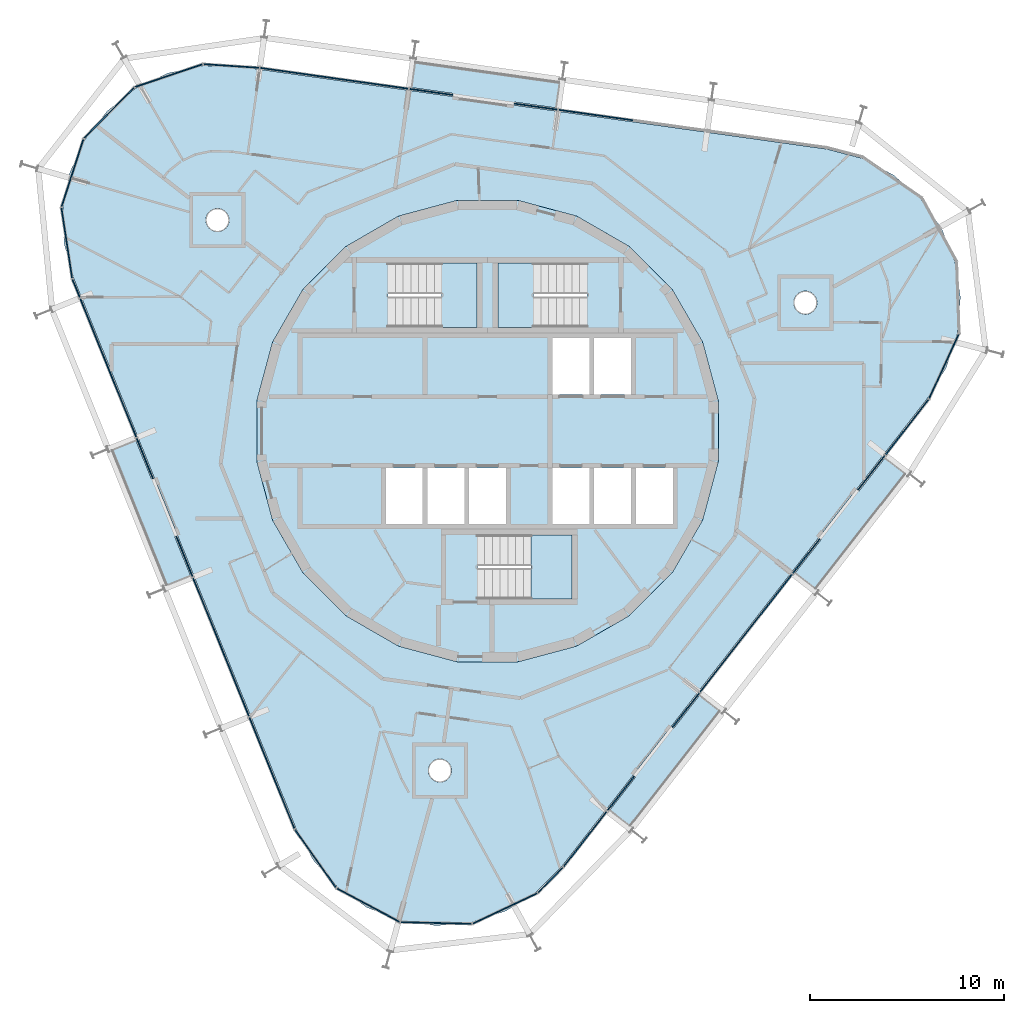
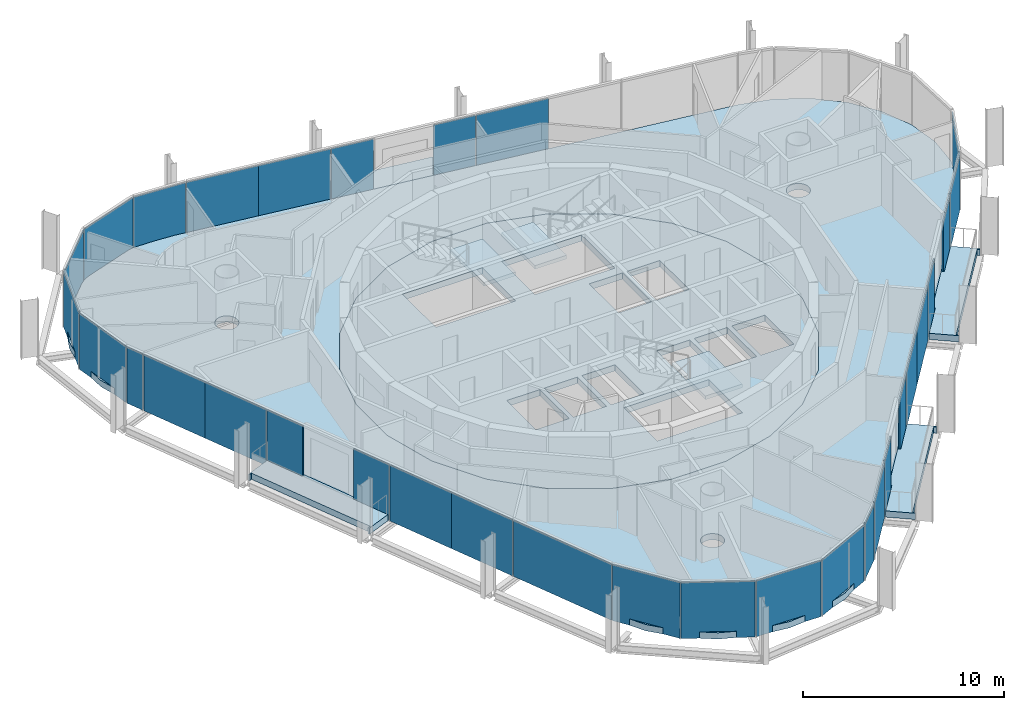
# One storey, part 8 of 15: 32 plates, 9 slabs, 9 elements without a shape of their own.
"""IFC4 building model written with IfcOpenShell, lengths in metres."""

import ifcopenshell
import ifcopenshell.guid

model = None  # the IFC model being written
_history = None  # IfcOwnerHistory: only IFC2X3 demands one
_inside = {}  # id of a spatial element -> (the spatial element, [elements in it])
_under = {}  # id of a project, library or spatial element -> (it, [spatial elements below it])
_declared = {}  # id of a project -> (the project, [libraries it declares])
_typed = {}  # id of a type object -> (the type object, [elements of that type])
_made_of = {}  # id of a material, layer set ... -> (it, [elements and type objects made of it])


def new_model(schema):
    """Start an empty IFC model of exactly this schema.

    Asked for "IFC4X3", IfcOpenShell would pick the latest addendum, in which some entities
    have other attributes; the version numbers below select the first issue.
    IFC2X3 requires an IfcOwnerHistory on every rooted entity: one is made here for all.
    """
    global model, _history
    if schema == "IFC4X3":
        model = ifcopenshell.file(schema_version=(4, 3, 0, 0))
    else:
        model = ifcopenshell.file(schema=schema)
    _inside.clear()
    _under.clear()
    _declared.clear()
    _typed.clear()
    _made_of.clear()
    _history = None
    if model.schema == "IFC2X3":
        org = make("IfcOrganization", Name="unknown")
        user = make(
            "IfcPersonAndOrganization",
            ThePerson=make("IfcPerson", FamilyName="unknown"),
            TheOrganization=org,
        )
        app = make(
            "IfcApplication",
            ApplicationDeveloper=org,
            Version="unknown",
            ApplicationFullName="unknown",
            ApplicationIdentifier="unknown",
        )
        _history = make(
            "IfcOwnerHistory",
            OwningUser=user,
            OwningApplication=app,
            ChangeAction="ADDED",
            CreationDate=0,
        )
    return model


def make(cls, **values):
    """One entity of the class cls with the attributes given. An attribute that is None is left unset."""
    return model.create_entity(
        cls, **{name: value for name, value in values.items() if value is not None}
    )


def rooted(cls, **values):
    """An entity with a GlobalId (a new one), such as an element, a storey or a relation."""
    return make(cls, GlobalId=ifcopenshell.guid.new(), OwnerHistory=_history, **values)


def si_unit(unit_type, name, prefix=None):
    """IfcSIUnit, for example si_unit("LENGTHUNIT", "METRE", prefix="MILLI")."""
    return make("IfcSIUnit", UnitType=unit_type, Prefix=prefix, Name=name)


def assignment(units):
    """IfcUnitAssignment: the units of a project."""
    return None if units is None else make("IfcUnitAssignment", Units=units)


def point(xyz):
    """IfcCartesianPoint."""
    return None if xyz is None else make("IfcCartesianPoint", Coordinates=xyz)


def direction(xyz):
    """IfcDirection."""
    return None if xyz is None else make("IfcDirection", DirectionRatios=xyz)


def frame(location, z_axis=None, x_axis=None):
    """IfcAxis2Placement3D, a coordinate frame: its origin and axes. An axis left out is left unset."""
    return make(
        "IfcAxis2Placement3D",
        Location=point(location),
        Axis=direction(z_axis),
        RefDirection=direction(x_axis),
    )


def frame_2d(location, x_axis=None):
    """IfcAxis2Placement2D, a coordinate frame in the plane: its origin and x axis."""
    return make(
        "IfcAxis2Placement2D", Location=point(location), RefDirection=direction(x_axis)
    )


def origin():
    """The frame at (0, 0, 0) with its axes left unset."""
    return frame((0.0, 0.0, 0.0))


def origin_2d():
    """The frame at (0, 0) in the plane with its x axis left unset."""
    return frame_2d((0.0, 0.0))


def place(relative_to, where):
    """IfcLocalPlacement: puts the frame where relative to a parent placement (None: the world)."""
    return make(
        "IfcLocalPlacement", PlacementRelTo=relative_to, RelativePlacement=where
    )


def context(
    kind, dimensions, precision=None, world=None, true_north=None, identifier=None
):
    """IfcGeometricRepresentationContext, for example the 3D "Model" context."""
    return make(
        "IfcGeometricRepresentationContext",
        ContextIdentifier=identifier,
        ContextType=kind,
        CoordinateSpaceDimension=dimensions,
        Precision=precision,
        WorldCoordinateSystem=world,
        TrueNorth=true_north,
    )


def subcontext(parent, identifier, kind, view, scale=None):
    """IfcGeometricRepresentationSubContext, for example "Body" below "Model"."""
    return make(
        "IfcGeometricRepresentationSubContext",
        ContextIdentifier=identifier,
        ContextType=kind,
        ParentContext=parent,
        TargetScale=scale,
        TargetView=view,
    )


def project(units=None, contexts=None):
    """IfcProject with its units and contexts."""
    return rooted(
        "IfcProject",
        Name="project",
        RepresentationContexts=contexts,
        UnitsInContext=assignment(units),
    )


def spatial(cls, under=None, at=None, **own):
    """A site, building, storey or space (cls), placed at a placement, below another one or the project."""
    s = rooted(cls, ObjectPlacement=at, **own)
    if under is not None:
        _under.setdefault(under.id(), (under, []))[1].append(s)
    return s


def polyline(points):
    """IfcPolyline through the points."""
    return make("IfcPolyline", Points=[point(p) for p in points])


def profile(cls, at=None, kind="AREA", **sizes):
    """A parametric profile (cls). Its sizes go by their IFC names, for example OverallWidth=200.0."""
    return make(cls, ProfileType=kind, Position=at, **sizes)


def rectangle(**sizes):
    """IfcRectangleProfileDef."""
    return profile("IfcRectangleProfileDef", **sizes)


def outline(outer, holes=None, kind="AREA"):
    """IfcArbitraryClosedProfileDef: a profile drawn as a closed curve; with holes, ...WithVoids."""
    if holes is None:
        return make("IfcArbitraryClosedProfileDef", ProfileType=kind, OuterCurve=outer)
    return make(
        "IfcArbitraryProfileDefWithVoids",
        ProfileType=kind,
        OuterCurve=outer,
        InnerCurves=holes,
    )


def extrude(swept, where, along, depth):
    """IfcExtrudedAreaSolid: the profile swept, set in the frame where, extruded along a direction by depth."""
    return make(
        "IfcExtrudedAreaSolid",
        SweptArea=swept,
        Position=where,
        ExtrudedDirection=direction(along),
        Depth=depth,
    )


def shape(context_of_items, identifier, shape_type, items):
    """IfcShapeRepresentation: the items that make up one representation, for example the "Body"."""
    return make(
        "IfcShapeRepresentation",
        ContextOfItems=context_of_items,
        RepresentationIdentifier=identifier,
        RepresentationType=shape_type,
        Items=items,
    )


def material(Name=None, Category=None):
    """IfcMaterial."""
    return make("IfcMaterial", Name=Name, Category=Category)


def layer(
    of_material, thickness, ventilated=None, Name=None, Category=None, Priority=None
):
    """IfcMaterialLayer: one layer of a wall or slab, of a material (None: an air gap)."""
    return make(
        "IfcMaterialLayer",
        Material=of_material,
        LayerThickness=thickness,
        IsVentilated=ventilated,
        Name=Name,
        Category=Category,
        Priority=Priority,
    )


def layer_set(layers, Name=None):
    """IfcMaterialLayerSet."""
    return make("IfcMaterialLayerSet", MaterialLayers=layers, LayerSetName=Name)


def made_of(thing, what):
    """Note that an element or type object is made of a material, layer set ...; save() writes the relation."""
    if what is not None:
        _made_of.setdefault(what.id(), (what, []))[1].append(thing)
    return thing


def type_object(cls, material=None, **own):
    """A type object (cls), such as IfcWallType, which elements share."""
    return made_of(rooted(cls, **own), material)


def element(
    cls,
    number,
    at=None,
    inside=None,
    cuts=None,
    type_object=None,
    material=None,
    context=None,
    identifier="Body",
    shape_type=None,
    held_by="IfcProductDefinitionShape",
    body=None,
    shapes=None,
    **own,
):
    """One element of the class cls, such as IfcWall. Its Tag is "e" and its number.

    at: its placement. inside: the storey or other place that contains it. cuts: it is an
    opening in that element (IfcRelVoidsElement). A single representation is given by context,
    identifier, shape_type and body (its items); several are given by shapes. held_by: the class
    of the entity that holds the representations. save() writes the other relations.
    """
    e = rooted(cls, Tag="e%d" % number, ObjectPlacement=at, **own)
    if body is not None:
        shapes = [shape(context, identifier, shape_type, body)]
    if shapes is not None:
        e.Representation = make(held_by, Representations=shapes)
    if inside is not None:
        _inside.setdefault(inside.id(), (inside, []))[1].append(e)
    if cuts is not None:
        rooted(
            "IfcRelVoidsElement", RelatingBuildingElement=cuts, RelatedOpeningElement=e
        )
    if type_object is not None:
        _typed.setdefault(type_object.id(), (type_object, []))[1].append(e)
    return made_of(e, material)


def aggregate(whole, parts):
    """IfcRelAggregates: a whole, such as a stair, and the parts it consists of."""
    return rooted("IfcRelAggregates", RelatingObject=whole, RelatedObjects=parts)


def save(model, path):
    """Write the relations noted so far, then the file.

    IfcRelAggregates (storeys below a building ...), IfcRelContainedInSpatialStructure (elements
    in a storey), IfcRelDefinesByType, IfcRelAssociatesMaterial and IfcRelDeclares: one each for
    every whole, place, type object, material and project.
    """
    for whole, parts in _under.values():
        aggregate(whole, parts)
    for where, things in _inside.values():
        rooted(
            "IfcRelContainedInSpatialStructure",
            RelatedElements=things,
            RelatingStructure=where,
        )
    for kind, things in _typed.values():
        rooted("IfcRelDefinesByType", RelatedObjects=things, RelatingType=kind)
    for what, things in _made_of.values():
        rooted("IfcRelAssociatesMaterial", RelatedObjects=things, RelatingMaterial=what)
    for by, libraries in _declared.values():
        rooted("IfcRelDeclares", RelatingContext=by, RelatedDefinitions=libraries)
    model.write(path)


model = new_model("IFC4")

# Units and contexts
model_context = context("Model", 3, precision=1e-05, world=origin(), true_north=direction((0.0, 1.0)))
body_context = subcontext(model_context, "Body", "Model", "MODEL_VIEW")
ifc_project = project(units=[si_unit("LENGTHUNIT", "METRE"), si_unit("AREAUNIT", "SQUARE_METRE"), si_unit("VOLUMEUNIT", "CUBIC_METRE"), si_unit("PLANEANGLEUNIT", "RADIAN"), si_unit("MASSUNIT", "GRAM", prefix="KILO")], contexts=[model_context])

# Site, building, storey
site_placement = place(None, origin())
site = spatial("IfcSite", under=ifc_project, at=site_placement, CompositionType="ELEMENT")
building_placement = place(site_placement, origin())
building = spatial("IfcBuilding", under=site, at=building_placement, Name="Spindle Arch Residences", CompositionType="ELEMENT")
storey_placement = place(building_placement, frame((0.0, 0.0, 340.0)))
storey = spatial("IfcBuildingStorey", under=building, at=storey_placement, Name="L87", CompositionType="ELEMENT", Elevation=340.0)

# Slabs
ifc_material_1 = material(Name="Concrete C40/50", Category="concrete")
ifc_layer_1 = layer(ifc_material_1, 0.3798828125)
ifc_layer_set_1 = layer_set([ifc_layer_1], Name="Balcony slab 380")
slab_type_1 = type_object("IfcSlabType", Name="Balcony slab 380", PredefinedType="FLOOR", material=ifc_layer_set_1)
slab_1_placement = place(storey_placement, frame((0.0, 0.0, -0.3798828125)))
element("IfcSlab", 1, at=slab_1_placement, inside=storey, type_object=slab_type_1, Name="Balcony L87 bay 1", PredefinedType="FLOOR", context=body_context, shape_type="SweptSolid", body=[
    extrude(outline(polyline([(17.005615234375, -8.263916015625), (17.052001953125, -8.204833984375), (16.93359375, -8.1123046875), (21.530029296875, -2.2294921875), (21.648193359375, -2.32177734375), (21.6943359375, -2.2626953125), (20.520263671875, -1.34521484375), (19.160888671875, -3.085205078125), (19.034912109375, -2.986572265625), (17.064697265625, -5.50830078125), (17.19091796875, -5.606689453125), (15.83154296875, -7.346435546875), (17.005615234375, -8.263916015625)])), origin(), (0.0, 0.0, 1.0), 0.3798828125),
])
slab_2_placement = place(storey_placement, frame((0.0, 0.0, -0.3798828125)))
element("IfcSlab", 2, at=slab_2_placement, inside=storey, type_object=slab_type_1, Name="Balcony L87 bay 7", PredefinedType="FLOOR", context=body_context, shape_type="SweptSolid", body=[
    extrude(outline(polyline([(3.780517578125, 18.138916015625), (3.706298828125, 18.149169921875), (3.685302734375, 18.000732421875), (-3.70751953125, 19.039794921875), (-3.686767578125, 19.188232421875), (-3.760986328125, 19.19873046875), (-3.96826171875, 17.72314453125), (-1.781982421875, 17.416015625), (-1.80419921875, 17.257568359375), (1.364501953125, 16.81201171875), (1.38671875, 16.970458984375), (3.5732421875, 16.663330078125), (3.780517578125, 18.138916015625)])), origin(), (0.0, 0.0, 1.0), 0.3798828125),
])
slab_3_placement = place(storey_placement, frame((0.0, 0.0, -0.3798828125)))
element("IfcSlab", 3, at=slab_3_placement, inside=storey, type_object=slab_type_1, Name="Balcony L87 bay 13", PredefinedType="FLOOR", context=body_context, shape_type="SweptSolid", body=[
    extrude(outline(polyline([(-19.538330078125, -0.995361328125), (-19.51025390625, -1.06494140625), (-19.37109375, -1.008544921875), (-16.574462890625, -7.9306640625), (-16.713623046875, -7.98681640625), (-16.685302734375, -8.056396484375), (-15.303955078125, -7.498291015625), (-16.130859375, -5.451171875), (-15.982666015625, -5.391357421875), (-17.181396484375, -2.42431640625), (-17.32958984375, -2.484130859375), (-18.15673828125, -0.437255859375), (-19.538330078125, -0.995361328125)])), origin(), (0.0, 0.0, 1.0), 0.3798828125),
])
slab_4_placement = place(storey_placement, frame((0.0, 0.0, -0.3798828125)))
element("IfcSlab", 4, at=slab_4_placement, inside=storey, type_object=slab_type_1, Name="Balcony L87 bay 19", PredefinedType="FLOOR", context=body_context, shape_type="SweptSolid", body=[
    extrude(outline(polyline([(7.44384765625, -20.50244140625), (7.489990234375, -20.443359375), (7.371826171875, -20.35107421875), (11.968017578125, -14.46826171875), (12.086181640625, -14.560546875), (12.13232421875, -14.50146484375), (10.958251953125, -13.583984375), (9.59912109375, -15.32373046875), (9.472900390625, -15.225341796875), (7.5029296875, -17.7470703125), (7.62890625, -17.845458984375), (6.269775390625, -19.585205078125), (7.44384765625, -20.50244140625)])), origin(), (0.0, 0.0, 1.0), 0.3798828125),
])
ifc_material_2 = material(Name="Concrete C50/60", Category="concrete")
ifc_layer_2 = layer(ifc_material_2, 0.3798828125)
ifc_layer_set_2 = layer_set([ifc_layer_2], Name="Core floor slab 380")
slab_type_2 = type_object("IfcSlabType", Name="Core floor slab 380", PredefinedType="FLOOR", material=ifc_layer_set_2)
slab_5_placement = place(storey_placement, frame((0.0, 0.0, -0.3798828125)))
element("IfcSlab", 5, at=slab_5_placement, inside=storey, type_object=slab_type_2, Name="Core floor L87", PredefinedType="FLOOR", context=body_context, shape_type="SweptSolid", body=[
    extrude(outline(polyline([(1.56640625, -11.897216796875), (4.59228515625, -11.086669921875), (7.30517578125, -9.520263671875), (9.520263671875, -7.30517578125), (11.086669921875, -4.59228515625), (11.897216796875, -1.56640625), (11.897216796875, 1.56640625), (11.086669921875, 4.59228515625), (9.520263671875, 7.30517578125), (7.30517578125, 9.520263671875), (4.59228515625, 11.086669921875), (1.56640625, 11.897216796875), (-1.56640625, 11.897216796875), (-4.59228515625, 11.086669921875), (-7.30517578125, 9.520263671875), (-9.520263671875, 7.30517578125), (-11.086669921875, 4.59228515625), (-11.897216796875, 1.56640625), (-11.897216796875, -1.56640625), (-11.086669921875, -4.59228515625), (-9.520263671875, -7.30517578125), (-7.30517578125, -9.520263671875), (-4.59228515625, -11.086669921875), (-1.56640625, -11.897216796875), (1.56640625, -11.897216796875)]), holes=[polyline([(3.35009765625, 1.89990234375), (5.25, 1.89990234375), (5.25, 4.800048828125), (3.35009765625, 4.800048828125), (3.35009765625, 1.89990234375)]), polyline([(5.5, 1.89990234375), (7.39990234375, 1.89990234375), (7.39990234375, 4.800048828125), (5.5, 4.800048828125), (5.5, 1.89990234375)]), polyline([(-5.25, -4.800048828125), (-3.35009765625, -4.800048828125), (-3.35009765625, -1.89990234375), (-5.25, -1.89990234375), (-5.25, -4.800048828125)]), polyline([(-3.10009765625, -4.800048828125), (-1.199951171875, -4.800048828125), (-1.199951171875, -1.89990234375), (-3.10009765625, -1.89990234375), (-3.10009765625, -4.800048828125)]), polyline([(-0.949951171875, -4.800048828125), (0.949951171875, -4.800048828125), (0.949951171875, -1.89990234375), (-0.949951171875, -1.89990234375), (-0.949951171875, -4.800048828125)]), polyline([(3.35009765625, -4.800048828125), (5.25, -4.800048828125), (5.25, -1.89990234375), (3.35009765625, -1.89990234375), (3.35009765625, -4.800048828125)]), polyline([(5.5, -4.800048828125), (7.39990234375, -4.800048828125), (7.39990234375, -1.89990234375), (5.5, -1.89990234375), (5.5, -4.800048828125)]), polyline([(7.64990234375, -4.800048828125), (9.550048828125, -4.800048828125), (9.550048828125, -1.89990234375), (7.64990234375, -1.89990234375), (7.64990234375, -4.800048828125)]), polyline([(5.1298828125, 8.669921875), (0.550048828125, 8.669921875), (0.550048828125, 5.35009765625), (5.1298828125, 5.35009765625), (5.1298828125, 8.669921875)]), polyline([(-5.1298828125, 5.35009765625), (-0.550048828125, 5.35009765625), (-0.550048828125, 8.669921875), (-5.1298828125, 8.669921875), (-5.1298828125, 5.35009765625)]), polyline([(-0.530029296875, -8.669921875), (4.35009765625, -8.669921875), (4.35009765625, -5.35009765625), (-0.530029296875, -5.35009765625), (-0.530029296875, -8.669921875)])]), origin(), (0.0, 0.0, 1.0), 0.3798828125),
])

# Stair, slab
ifc_material_3 = material(Name="Concrete C50/60", Category="concrete")
stair_type = type_object("IfcStairType", Name="Exit stair 16 risers", PredefinedType="HALF_TURN_STAIR", material=ifc_material_3)
stair_1_placement = place(storey_placement, origin())
stair_1 = element("IfcStair", 6, at=stair_1_placement, inside=storey, type_object=stair_type, Name="L87 Exit stair ST1", PredefinedType="HALF_TURN_STAIR")
ifc_material_4 = material(Name="Concrete C50/60", Category="concrete")
ifc_layer_3 = layer(ifc_material_4, 0.219970703125)
ifc_layer_set_3 = layer_set([ifc_layer_3], Name="Exit stair landing 220")
slab_type_3 = type_object("IfcSlabType", Name="Exit stair landing 220", PredefinedType="LANDING", material=ifc_layer_set_3)
slab_6_placement = place(storey_placement, frame((0.0, 0.0, 1.530029296875)))
slab_6 = element("IfcSlab", 7, at=slab_6_placement, type_object=slab_type_3, Name="ST1 landing 1", PredefinedType="LANDING", context=body_context, shape_type="SweptSolid", body=[
    extrude(outline(polyline([(2.3701171875, 8.669921875), (0.550048828125, 8.669921875), (0.550048828125, 5.35009765625), (2.3701171875, 5.35009765625), (2.3701171875, 8.669921875)])), origin(), (0.0, 0.0, 1.0), 0.219970703125),
])
aggregate(stair_1, [slab_6])

stair_2_placement = place(storey_placement, origin())
stair_2 = element("IfcStair", 8, at=stair_2_placement, inside=storey, type_object=stair_type, Name="L87 Exit stair ST2", PredefinedType="HALF_TURN_STAIR")
slab_7_placement = place(storey_placement, frame((0.0, 0.0, 1.530029296875)))
slab_7 = element("IfcSlab", 9, at=slab_7_placement, type_object=slab_type_3, Name="ST2 landing 1", PredefinedType="LANDING", context=body_context, shape_type="SweptSolid", body=[
    extrude(outline(polyline([(-2.3701171875, 5.35009765625), (-0.550048828125, 5.35009765625), (-0.550048828125, 8.669921875), (-2.3701171875, 8.669921875), (-2.3701171875, 5.35009765625)])), origin(), (0.0, 0.0, 1.0), 0.219970703125),
])
aggregate(stair_2, [slab_7])

stair_3_placement = place(storey_placement, origin())
stair_3 = element("IfcStair", 10, at=stair_3_placement, inside=storey, type_object=stair_type, Name="L87 Exit stair ST3", PredefinedType="HALF_TURN_STAIR")
slab_8_placement = place(storey_placement, frame((0.0, 0.0, 1.530029296875)))
slab_8 = element("IfcSlab", 11, at=slab_8_placement, type_object=slab_type_3, Name="ST3 landing 1", PredefinedType="LANDING", context=body_context, shape_type="SweptSolid", body=[
    extrude(outline(polyline([(2.22998046875, -8.669921875), (4.35009765625, -8.669921875), (4.35009765625, -5.35009765625), (2.22998046875, -5.35009765625), (2.22998046875, -8.669921875)])), origin(), (0.0, 0.0, 1.0), 0.219970703125),
])
aggregate(stair_3, [slab_8])

# Slab
ifc_material_5 = material(Name="Concrete C40/50", Category="concrete")
ifc_layer_4 = layer(ifc_material_5, 0.3798828125)
ifc_layer_set_4 = layer_set([ifc_layer_4], Name="Floor slab 380")
slab_type_4 = type_object("IfcSlabType", Name="Floor slab 380", PredefinedType="FLOOR", material=ifc_layer_set_4)
slab_9_placement = place(storey_placement, frame((0.0, 0.0, -0.3798828125)))
element("IfcSlab", 12, at=slab_9_placement, inside=storey, type_object=slab_type_4, Name="Floor slab L87", PredefinedType="FLOOR", context=body_context, shape_type="SweptSolid", body=[
    extrude(outline(polyline([(2.5380859375, -23.751220703125), (0.962890625, -24.735595703125), (-0.796875, -25.330078125), (-2.646240234375, -25.502685546875), (-4.485595703125, -25.244140625), (-6.2158203125, -24.568359375), (-7.74365234375, -23.511962890625), (-8.986572265625, -22.131591796875), (-9.877685546875, -20.501708984375), (-21.346923828125, 7.885986328125), (-21.838134765625, 9.677490234375), (-21.903076171875, 11.53369140625), (-21.5380859375, 13.35498046875), (-20.7626953125, 15.043212890625), (-19.619140625, 16.5068359375), (-18.1689453125, 17.667236328125), (-16.489990234375, 18.462158203125), (-14.673095703125, 18.848388671875), (-12.816162109375, 18.80517578125), (17.503173828125, 14.5439453125), (19.300048828125, 14.07373046875), (20.940185546875, 13.20166015625), (22.334716796875, 11.974853515625), (23.4091796875, 10.459716796875), (24.10498046875, 8.7373046875), (24.384765625, 6.901123046875), (24.233642578125, 5.0498046875), (23.65966796875, 3.283203125), (22.69384765625, 1.696533203125), (13.268798828125, -10.36669921875), (3.843994140625, -22.43017578125), (2.5380859375, -23.751220703125)]), holes=[polyline([(7.30517578125, -9.520263671875), (9.520263671875, -7.30517578125), (11.086669921875, -4.59228515625), (11.897216796875, -1.56640625), (11.897216796875, 1.56640625), (11.086669921875, 4.59228515625), (9.520263671875, 7.30517578125), (7.30517578125, 9.520263671875), (4.59228515625, 11.086669921875), (1.56640625, 11.897216796875), (-1.56640625, 11.897216796875), (-4.59228515625, 11.086669921875), (-7.30517578125, 9.520263671875), (-9.520263671875, 7.30517578125), (-11.086669921875, 4.59228515625), (-11.897216796875, 1.56640625), (-11.897216796875, -1.56640625), (-11.086669921875, -4.59228515625), (-9.520263671875, -7.30517578125), (-7.30517578125, -9.520263671875), (-4.59228515625, -11.086669921875), (-1.56640625, -11.897216796875), (1.56640625, -11.897216796875), (4.59228515625, -11.086669921875), (7.30517578125, -9.520263671875)]), polyline([(-1.961181640625, -17.838134765625), (-1.90576171875, -17.734375), (-1.87158203125, -17.621826171875), (-1.860107421875, -17.5048828125), (-1.87158203125, -17.3876953125), (-1.90576171875, -17.275146484375), (-1.961181640625, -17.17138671875), (-2.035888671875, -17.08056640625), (-2.126708984375, -17.005859375), (-2.23046875, -16.950439453125), (-2.343017578125, -16.916259765625), (-2.460205078125, -16.90478515625), (-2.5771484375, -16.916259765625), (-2.689697265625, -16.950439453125), (-2.79345703125, -17.005859375), (-2.884521484375, -17.08056640625), (-2.958984375, -17.17138671875), (-3.014404296875, -17.275146484375), (-3.048583984375, -17.3876953125), (-3.06005859375, -17.5048828125), (-3.048583984375, -17.621826171875), (-3.014404296875, -17.734375), (-2.958984375, -17.838134765625), (-2.884521484375, -17.92919921875), (-2.79345703125, -18.003662109375), (-2.689697265625, -18.05908203125), (-2.5771484375, -18.09326171875), (-2.460205078125, -18.104736328125), (-2.343017578125, -18.09326171875), (-2.23046875, -18.05908203125), (-2.126708984375, -18.003662109375), (-2.035888671875, -17.92919921875), (-1.961181640625, -17.838134765625)]), polyline([(-13.505126953125, 10.458740234375), (-13.4306640625, 10.5498046875), (-13.375244140625, 10.6533203125), (-13.341064453125, 10.765869140625), (-13.32958984375, 10.883056640625), (-13.341064453125, 11.0), (-13.375244140625, 11.112548828125), (-13.4306640625, 11.21630859375), (-13.505126953125, 11.307373046875), (-13.59619140625, 11.3818359375), (-13.699951171875, 11.437255859375), (-13.8125, 11.471435546875), (-13.929443359375, 11.48291015625), (-14.046630859375, 11.471435546875), (-14.1591796875, 11.437255859375), (-14.2626953125, 11.3818359375), (-14.353759765625, 11.307373046875), (-14.428466796875, 11.21630859375), (-14.48388671875, 11.112548828125), (-14.51806640625, 11.0), (-14.529541015625, 10.883056640625), (-14.51806640625, 10.765869140625), (-14.48388671875, 10.6533203125), (-14.428466796875, 10.5498046875), (-14.353759765625, 10.458740234375), (-14.2626953125, 10.384033203125), (-14.1591796875, 10.32861328125), (-14.046630859375, 10.29443359375), (-13.929443359375, 10.282958984375), (-13.8125, 10.29443359375), (-13.699951171875, 10.32861328125), (-13.59619140625, 10.384033203125), (-13.505126953125, 10.458740234375)]), polyline([(16.81396484375, 6.197509765625), (16.888671875, 6.28857421875), (16.944091796875, 6.392333984375), (16.978271484375, 6.5048828125), (16.98974609375, 6.621826171875), (16.978271484375, 6.739013671875), (16.944091796875, 6.8515625), (16.888671875, 6.955078125), (16.81396484375, 7.046142578125), (16.722900390625, 7.120849609375), (16.619384765625, 7.17626953125), (16.5068359375, 7.21044921875), (16.3896484375, 7.221923828125), (16.272705078125, 7.21044921875), (16.16015625, 7.17626953125), (16.056396484375, 7.120849609375), (15.96533203125, 7.046142578125), (15.890869140625, 6.955078125), (15.83544921875, 6.8515625), (15.80126953125, 6.739013671875), (15.789794921875, 6.621826171875), (15.80126953125, 6.5048828125), (15.83544921875, 6.392333984375), (15.890869140625, 6.28857421875), (15.96533203125, 6.197509765625), (16.056396484375, 6.123046875), (16.16015625, 6.067626953125), (16.272705078125, 6.033447265625), (16.3896484375, 6.02197265625), (16.5068359375, 6.033447265625), (16.619384765625, 6.067626953125), (16.722900390625, 6.123046875), (16.81396484375, 6.197509765625)])]), origin(), (0.0, 0.0, 1.0), 0.3798828125),
])

# Curtain wall, plates
ifc_material_6 = material(Name="Aluminium bronze unitised frame with tinted glass", Category="aluminium")
ifc_layer_5 = layer(ifc_material_6, 0.159912109375)
ifc_layer_set_5 = layer_set([ifc_layer_5], Name="CW-D corner wall on the fillet arcs")
curtain_wall_type_1 = type_object("IfcCurtainWallType", Name="CW-D corner wall on the fillet arcs", PredefinedType="NOTDEFINED", material=ifc_layer_set_5)
curtain_wall_1_placement = place(storey_placement, origin())
curtain_wall_1 = element("IfcCurtainWall", 13, at=curtain_wall_1_placement, inside=storey, type_object=curtain_wall_type_1, Name="CW-D L87 run 1", PredefinedType="NOTDEFINED")
ifc_material_7 = material(Name="Tinted double glazing over aluminium faced non-combustible spandrel zone (K0)", Category="aluminium")
ifc_layer_6 = layer(ifc_material_7, 0.06005859375)
ifc_layer_set_6 = layer_set([ifc_layer_6], Name="Unitised glass panel with E 60 spandrel zone")
plate_type = type_object("IfcPlateType", Name="Unitised glass panel with E 60 spandrel zone", PredefinedType="CURTAIN_PANEL", material=ifc_layer_set_6)
plate_1_placement = place(storey_placement, frame((21.630126953125, 0.205078125, -0.3798828125), z_axis=(0.0, 0.0, 1.0), x_axis=(0.615661475326, 0.788010753607, 0.0)))
plate_1 = element("IfcPlate", 14, at=plate_1_placement, type_object=plate_type, Name="CW-D unit 00", PredefinedType="CURTAIN_PANEL", context=body_context, shape_type="SweptSolid", body=[
    extrude(rectangle(XDim=3.60009765625, YDim=0.06005859375, at=origin_2d()), origin(), (0.0, 0.0, 1.0), 3.3798828125),
])
plate_2_placement = place(storey_placement, frame((23.534423828125, 3.340576171875, -0.3798828125), z_axis=(0.0, 0.0, 1.0), x_axis=(0.417338452362, 0.908751129947, 0.0)))
plate_2 = element("IfcPlate", 15, at=plate_2_placement, type_object=plate_type, Name="CW-D unit 01", PredefinedType="CURTAIN_PANEL", context=body_context, shape_type="SweptSolid", body=[
    extrude(rectangle(XDim=3.666748046875, YDim=0.06005859375, at=origin_2d()), origin(), (0.0, 0.0, 1.0), 3.3798828125),
])
aggregate(curtain_wall_1, [plate_1, plate_2])

ifc_material_8 = material(Name="Aluminium bronze unitised frame with tinted glass", Category="aluminium")
ifc_layer_7 = layer(ifc_material_8, 0.159912109375)
ifc_layer_set_7 = layer_set([ifc_layer_7], Name="CW-C typical residential unitised wall")
curtain_wall_type_2 = type_object("IfcCurtainWallType", Name="CW-C typical residential unitised wall", PredefinedType="NOTDEFINED", material=ifc_layer_set_7)
curtain_wall_2_placement = place(storey_placement, origin())
curtain_wall_2 = element("IfcCurtainWall", 16, at=curtain_wall_2_placement, inside=storey, type_object=curtain_wall_type_2, Name="CW-C L87 run 2", PredefinedType="NOTDEFINED")
plate_3_placement = place(storey_placement, frame((5.57373046875, 16.30126953125, -0.3798828125), z_axis=(0.0, 0.0, 1.0), x_axis=(-0.990268068742, 0.13917310096, 0.0)))
plate_3 = element("IfcPlate", 17, at=plate_3_placement, type_object=plate_type, Name="CW-C unit 05B", PredefinedType="CURTAIN_PANEL", context=body_context, shape_type="SweptSolid", body=[
    extrude(rectangle(XDim=3.852783203125, YDim=0.06005859375, at=origin_2d()), origin(), (0.0, 0.0, 1.0), 3.3798828125),
])
plate_4_placement = place(storey_placement, frame((2.4912109375, 16.734619140625, -0.3798828125), z_axis=(0.0, 0.0, 1.0), x_axis=(-0.990268068742, 0.13917310096, 0.0)))
plate_4 = element("IfcPlate", 18, at=plate_4_placement, type_object=plate_type, Name="CW-C unit 06L", PredefinedType="CURTAIN_PANEL", context=body_context, shape_type="SweptSolid", body=[
    extrude(rectangle(XDim=2.252685546875, YDim=0.06005859375, at=origin_2d()), origin(), (0.0, 0.0, 1.0), 3.3798828125),
])
plate_5_placement = place(storey_placement, frame((-2.90869140625, 17.493408203125, -0.3798828125), z_axis=(0.0, 0.0, 1.0), x_axis=(-0.990268068742, 0.13917310096, 0.0)))
plate_5 = element("IfcPlate", 19, at=plate_5_placement, type_object=plate_type, Name="CW-C unit 06R", PredefinedType="CURTAIN_PANEL", context=body_context, shape_type="SweptSolid", body=[
    extrude(rectangle(XDim=2.252685546875, YDim=0.06005859375, at=origin_2d()), origin(), (0.0, 0.0, 1.0), 3.3798828125),
])
plate_6_placement = place(storey_placement, frame((-5.9912109375, 17.9267578125, -0.3798828125), z_axis=(0.0, 0.0, 1.0), x_axis=(-0.990268068742, 0.13917310096, 0.0)))
plate_6 = element("IfcPlate", 20, at=plate_6_placement, type_object=plate_type, Name="CW-C unit 07A", PredefinedType="CURTAIN_PANEL", context=body_context, shape_type="SweptSolid", body=[
    extrude(rectangle(XDim=3.852783203125, YDim=0.06005859375, at=origin_2d()), origin(), (0.0, 0.0, 1.0), 3.3798828125),
])
plate_7_placement = place(storey_placement, frame((-9.806396484375, 18.462890625, -0.3798828125), z_axis=(0.0, 0.0, 1.0), x_axis=(-0.990268068742, 0.13917310096, 0.0)))
plate_7 = element("IfcPlate", 21, at=plate_7_placement, type_object=plate_type, Name="CW-C unit 07B", PredefinedType="CURTAIN_PANEL", context=body_context, shape_type="SweptSolid", body=[
    extrude(rectangle(XDim=3.852783203125, YDim=0.06005859375, at=origin_2d()), origin(), (0.0, 0.0, 1.0), 3.3798828125),
])
aggregate(curtain_wall_2, [plate_3, plate_4, plate_5, plate_6, plate_7])

curtain_wall_3_placement = place(storey_placement, origin())
curtain_wall_3 = element("IfcCurtainWall", 22, at=curtain_wall_3_placement, inside=storey, type_object=curtain_wall_type_1, Name="CW-D L87 run 3", PredefinedType="NOTDEFINED")
plate_8_placement = place(storey_placement, frame((-13.212158203125, 18.83154296875, -0.3798828125), z_axis=(0.0, 0.0, 1.0), x_axis=(-0.99785193122, 0.065509719587, 0.0)))
plate_8 = element("IfcPlate", 23, at=plate_8_placement, type_object=plate_type, Name="CW-D unit 00", PredefinedType="CURTAIN_PANEL", context=body_context, shape_type="SweptSolid", body=[
    extrude(rectangle(XDim=2.883056640625, YDim=0.06005859375, at=origin_2d()), origin(), (0.0, 0.0, 1.0), 3.3798828125),
])
plate_9_placement = place(storey_placement, frame((-16.446044921875, 18.33154296875, -0.3798828125), z_axis=(0.0, 0.0, 1.0), x_axis=(-0.947396640541, -0.320061877599, 0.0)))
plate_9 = element("IfcPlate", 24, at=plate_9_placement, type_object=plate_type, Name="CW-D unit 01", PredefinedType="CURTAIN_PANEL", context=body_context, shape_type="SweptSolid", body=[
    extrude(rectangle(XDim=3.666748046875, YDim=0.06005859375, at=origin_2d()), origin(), (0.0, 0.0, 1.0), 3.3798828125),
])
plate_10_placement = place(storey_placement, frame((-19.521240234375, 16.409912109375, -0.3798828125), z_axis=(0.0, 0.0, 1.0), x_axis=(-0.702981055369, -0.711208574043, 0.0)))
plate_10 = element("IfcPlate", 25, at=plate_10_placement, type_object=plate_type, Name="CW-D unit 02", PredefinedType="CURTAIN_PANEL", context=body_context, shape_type="SweptSolid", body=[
    extrude(rectangle(XDim=3.666748046875, YDim=0.06005859375, at=origin_2d()), origin(), (0.0, 0.0, 1.0), 3.3798828125),
])
plate_11_placement = place(storey_placement, frame((-21.406982421875, 13.3125, -0.3798828125), z_axis=(0.0, 0.0, 1.0), x_axis=(-0.309016990673, -0.951056517498, 0.0)))
plate_11 = element("IfcPlate", 26, at=plate_11_placement, type_object=plate_type, Name="CW-D unit 03", PredefinedType="CURTAIN_PANEL", context=body_context, shape_type="SweptSolid", body=[
    extrude(rectangle(XDim=3.666748046875, YDim=0.06005859375, at=origin_2d()), origin(), (0.0, 0.0, 1.0), 3.3798828125),
])
plate_12_placement = place(storey_placement, frame((-21.701904296875, 9.6982421875, -0.3798828125), z_axis=(0.0, 0.0, 1.0), x_axis=(0.150685718984, -0.988581718471, 0.0)))
plate_12 = element("IfcPlate", 27, at=plate_12_placement, type_object=plate_type, Name="CW-D unit 04", PredefinedType="CURTAIN_PANEL", context=body_context, shape_type="SweptSolid", body=[
    extrude(rectangle(XDim=3.666748046875, YDim=0.06005859375, at=origin_2d()), origin(), (0.0, 0.0, 1.0), 3.3798828125),
])
plate_13_placement = place(storey_placement, frame((-21.220458984375, 7.359375, -0.3798828125), z_axis=(0.0, 0.0, 1.0), x_axis=(0.374606593416, -0.927183854567, 0.0)))
plate_13 = element("IfcPlate", 28, at=plate_13_placement, type_object=plate_type, Name="CW-D unit 05", PredefinedType="CURTAIN_PANEL", context=body_context, shape_type="SweptSolid", body=[
    extrude(rectangle(XDim=1.01171875, YDim=0.06005859375, at=origin_2d()), origin(), (0.0, 0.0, 1.0), 3.3798828125),
])
aggregate(curtain_wall_3, [plate_8, plate_9, plate_10, plate_11, plate_12, plate_13])

curtain_wall_4_placement = place(storey_placement, origin())
curtain_wall_4 = element("IfcCurtainWall", 29, at=curtain_wall_4_placement, inside=storey, type_object=curtain_wall_type_2, Name="CW-C L87 run 4", PredefinedType="NOTDEFINED")
plate_14_placement = place(storey_placement, frame((-20.286865234375, 5.048583984375, -0.3798828125), z_axis=(0.0, 0.0, 1.0), x_axis=(0.374606593416, -0.927183854567, 0.0)))
plate_14 = element("IfcPlate", 30, at=plate_14_placement, type_object=plate_type, Name="CW-C unit 11A", PredefinedType="CURTAIN_PANEL", context=body_context, shape_type="SweptSolid", body=[
    extrude(rectangle(XDim=3.852783203125, YDim=0.06005859375, at=origin_2d()), origin(), (0.0, 0.0, 1.0), 3.3798828125),
])
plate_15_placement = place(storey_placement, frame((-18.843505859375, 1.476318359375, -0.3798828125), z_axis=(0.0, 0.0, 1.0), x_axis=(0.374606593416, -0.927183854567, 0.0)))
plate_15 = element("IfcPlate", 31, at=plate_15_placement, type_object=plate_type, Name="CW-C unit 11B", PredefinedType="CURTAIN_PANEL", context=body_context, shape_type="SweptSolid", body=[
    extrude(rectangle(XDim=3.852783203125, YDim=0.06005859375, at=origin_2d()), origin(), (0.0, 0.0, 1.0), 3.3798828125),
])
plate_16_placement = place(storey_placement, frame((-17.677490234375, -1.409912109375, -0.3798828125), z_axis=(0.0, 0.0, 1.0), x_axis=(0.374606593416, -0.927183854567, 0.0)))
plate_16 = element("IfcPlate", 32, at=plate_16_placement, type_object=plate_type, Name="CW-C unit 12L", PredefinedType="CURTAIN_PANEL", context=body_context, shape_type="SweptSolid", body=[
    extrude(rectangle(XDim=2.252685546875, YDim=0.06005859375, at=origin_2d()), origin(), (0.0, 0.0, 1.0), 3.3798828125),
])
plate_17_placement = place(storey_placement, frame((-15.634765625, -6.465576171875, -0.3798828125), z_axis=(0.0, 0.0, 1.0), x_axis=(0.374606593416, -0.927183854567, 0.0)))
plate_17 = element("IfcPlate", 33, at=plate_17_placement, type_object=plate_type, Name="CW-C unit 12R", PredefinedType="CURTAIN_PANEL", context=body_context, shape_type="SweptSolid", body=[
    extrude(rectangle(XDim=2.252685546875, YDim=0.06005859375, at=origin_2d()), origin(), (0.0, 0.0, 1.0), 3.3798828125),
])
plate_18_placement = place(storey_placement, frame((-14.46875, -9.351806640625, -0.3798828125), z_axis=(0.0, 0.0, 1.0), x_axis=(0.374606593416, -0.927183854567, 0.0)))
plate_18 = element("IfcPlate", 34, at=plate_18_placement, type_object=plate_type, Name="CW-C unit 13A", PredefinedType="CURTAIN_PANEL", context=body_context, shape_type="SweptSolid", body=[
    extrude(rectangle(XDim=3.852783203125, YDim=0.06005859375, at=origin_2d()), origin(), (0.0, 0.0, 1.0), 3.3798828125),
])
plate_19_placement = place(storey_placement, frame((-13.025390625, -12.924072265625, -0.3798828125), z_axis=(0.0, 0.0, 1.0), x_axis=(0.374606593416, -0.927183854567, 0.0)))
plate_19 = element("IfcPlate", 35, at=plate_19_placement, type_object=plate_type, Name="CW-C unit 13B", PredefinedType="CURTAIN_PANEL", context=body_context, shape_type="SweptSolid", body=[
    extrude(rectangle(XDim=3.852783203125, YDim=0.06005859375, at=origin_2d()), origin(), (0.0, 0.0, 1.0), 3.3798828125),
])
aggregate(curtain_wall_4, [plate_14, plate_15, plate_16, plate_17, plate_18, plate_19])

curtain_wall_5_placement = place(storey_placement, origin())
curtain_wall_5 = element("IfcCurtainWall", 36, at=curtain_wall_5_placement, inside=storey, type_object=curtain_wall_type_1, Name="CW-D L87 run 5", PredefinedType="NOTDEFINED")
plate_20_placement = place(storey_placement, frame((-11.122314453125, -17.634765625, -0.3798828125), z_axis=(0.0, 0.0, 1.0), x_axis=(0.374606593416, -0.927183854567, 0.0)))
plate_20 = element("IfcPlate", 37, at=plate_20_placement, type_object=plate_type, Name="CW-D unit 00", PredefinedType="CURTAIN_PANEL", context=body_context, shape_type="SweptSolid", body=[
    extrude(rectangle(XDim=6.188720703125, YDim=0.06005859375, at=origin_2d()), origin(), (0.0, 0.0, 1.0), 3.3798828125),
])
plate_21_placement = place(storey_placement, frame((-8.8740234375, -22.0517578125, -0.3798828125), z_axis=(0.0, 0.0, 1.0), x_axis=(0.578332338584, -0.815801266332, 0.0)))
plate_21 = element("IfcPlate", 38, at=plate_21_placement, type_object=plate_type, Name="CW-D unit 01", PredefinedType="CURTAIN_PANEL", context=body_context, shape_type="SweptSolid", body=[
    extrude(rectangle(XDim=3.666748046875, YDim=0.06005859375, at=origin_2d()), origin(), (0.0, 0.0, 1.0), 3.3798828125),
])
plate_22_placement = place(storey_placement, frame((-6.151123046875, -24.44677734375, -0.3798828125), z_axis=(0.0, 0.0, 1.0), x_axis=(0.882947592408, -0.469471563633, 0.0)))
plate_22 = element("IfcPlate", 39, at=plate_22_placement, type_object=plate_type, Name="CW-D unit 02", PredefinedType="CURTAIN_PANEL", context=body_context, shape_type="SweptSolid", body=[
    extrude(rectangle(XDim=3.666748046875, YDim=0.06005859375, at=origin_2d()), origin(), (0.0, 0.0, 1.0), 3.3798828125),
])
plate_23_placement = place(storey_placement, frame((-2.64306640625, -25.364990234375, -0.3798828125), z_axis=(0.0, 0.0, 1.0), x_axis=(0.999729241109, -0.023268959422, 0.0)))
plate_23 = element("IfcPlate", 40, at=plate_23_placement, type_object=plate_type, Name="CW-D unit 03", PredefinedType="CURTAIN_PANEL", context=body_context, shape_type="SweptSolid", body=[
    extrude(rectangle(XDim=3.666748046875, YDim=0.06005859375, at=origin_2d()), origin(), (0.0, 0.0, 1.0), 3.3798828125),
])
plate_24_placement = place(storey_placement, frame((0.904052734375, -24.61083984375, -0.3798828125), z_axis=(0.0, 0.0, 1.0), x_axis=(0.903833768547, 0.427883767902, 0.0)))
plate_24 = element("IfcPlate", 41, at=plate_24_placement, type_object=plate_type, Name="CW-D unit 04", PredefinedType="CURTAIN_PANEL", context=body_context, shape_type="SweptSolid", body=[
    extrude(rectangle(XDim=3.666748046875, YDim=0.06005859375, at=origin_2d()), origin(), (0.0, 0.0, 1.0), 3.3798828125),
])
plate_25_placement = place(storey_placement, frame((3.24755859375, -23.146484375, -0.3798828125), z_axis=(0.0, 0.0, 1.0), x_axis=(0.702981053644, 0.711208575748, 0.0)))
plate_25 = element("IfcPlate", 42, at=plate_25_placement, type_object=plate_type, Name="CW-D unit 05", PredefinedType="CURTAIN_PANEL", context=body_context, shape_type="SweptSolid", body=[
    extrude(rectangle(XDim=1.816162109375, YDim=0.06005859375, at=origin_2d()), origin(), (0.0, 0.0, 1.0), 3.3798828125),
])
plate_26_placement = place(storey_placement, frame((5.03369140625, -21.037109375, -0.3798828125), z_axis=(0.0, 0.0, 1.0), x_axis=(0.615661475326, 0.788010753607, 0.0)))
plate_26 = element("IfcPlate", 43, at=plate_26_placement, type_object=plate_type, Name="CW-D unit 06", PredefinedType="CURTAIN_PANEL", context=body_context, shape_type="SweptSolid", body=[
    extrude(rectangle(XDim=3.60009765625, YDim=0.06005859375, at=origin_2d()), origin(), (0.0, 0.0, 1.0), 3.3798828125),
])
aggregate(curtain_wall_5, [plate_20, plate_21, plate_22, plate_23, plate_24, plate_25, plate_26])

curtain_wall_6_placement = place(storey_placement, origin())
curtain_wall_6 = element("IfcCurtainWall", 44, at=curtain_wall_6_placement, inside=storey, type_object=curtain_wall_type_2, Name="CW-C L87 run 6", PredefinedType="NOTDEFINED")
plate_27_placement = place(storey_placement, frame((6.872314453125, -18.683837890625, -0.3798828125), z_axis=(0.0, 0.0, 1.0), x_axis=(0.615661475326, 0.788010753607, 0.0)))
plate_27 = element("IfcPlate", 45, at=plate_27_placement, type_object=plate_type, Name="CW-C unit 18L", PredefinedType="CURTAIN_PANEL", context=body_context, shape_type="SweptSolid", body=[
    extrude(rectangle(XDim=2.252685546875, YDim=0.06005859375, at=origin_2d()), origin(), (0.0, 0.0, 1.0), 3.3798828125),
])
plate_28_placement = place(storey_placement, frame((10.2294921875, -14.386962890625, -0.3798828125), z_axis=(0.0, 0.0, 1.0), x_axis=(0.615661475326, 0.788010753607, 0.0)))
plate_28 = element("IfcPlate", 46, at=plate_28_placement, type_object=plate_type, Name="CW-C unit 18R", PredefinedType="CURTAIN_PANEL", context=body_context, shape_type="SweptSolid", body=[
    extrude(rectangle(XDim=2.252685546875, YDim=0.06005859375, at=origin_2d()), origin(), (0.0, 0.0, 1.0), 3.3798828125),
])
plate_29_placement = place(storey_placement, frame((12.14599609375, -11.93408203125, -0.3798828125), z_axis=(0.0, 0.0, 1.0), x_axis=(0.615661475326, 0.788010753607, 0.0)))
plate_29 = element("IfcPlate", 47, at=plate_29_placement, type_object=plate_type, Name="CW-C unit 19A", PredefinedType="CURTAIN_PANEL", context=body_context, shape_type="SweptSolid", body=[
    extrude(rectangle(XDim=3.852783203125, YDim=0.06005859375, at=origin_2d()), origin(), (0.0, 0.0, 1.0), 3.3798828125),
])
plate_30_placement = place(storey_placement, frame((14.517822265625, -8.89794921875, -0.3798828125), z_axis=(0.0, 0.0, 1.0), x_axis=(0.615661475326, 0.788010753607, 0.0)))
plate_30 = element("IfcPlate", 48, at=plate_30_placement, type_object=plate_type, Name="CW-C unit 19B", PredefinedType="CURTAIN_PANEL", context=body_context, shape_type="SweptSolid", body=[
    extrude(rectangle(XDim=3.852783203125, YDim=0.06005859375, at=origin_2d()), origin(), (0.0, 0.0, 1.0), 3.3798828125),
])
plate_31_placement = place(storey_placement, frame((16.434326171875, -6.445068359375, -0.3798828125), z_axis=(0.0, 0.0, 1.0), x_axis=(0.615661475326, 0.788010753607, 0.0)))
plate_31 = element("IfcPlate", 49, at=plate_31_placement, type_object=plate_type, Name="CW-C unit 00L", PredefinedType="CURTAIN_PANEL", context=body_context, shape_type="SweptSolid", body=[
    extrude(rectangle(XDim=2.252685546875, YDim=0.06005859375, at=origin_2d()), origin(), (0.0, 0.0, 1.0), 3.3798828125),
])
plate_32_placement = place(storey_placement, frame((19.79150390625, -2.148193359375, -0.3798828125), z_axis=(0.0, 0.0, 1.0), x_axis=(0.615661475326, 0.788010753607, 0.0)))
plate_32 = element("IfcPlate", 50, at=plate_32_placement, type_object=plate_type, Name="CW-C unit 00R", PredefinedType="CURTAIN_PANEL", context=body_context, shape_type="SweptSolid", body=[
    extrude(rectangle(XDim=2.252685546875, YDim=0.06005859375, at=origin_2d()), origin(), (0.0, 0.0, 1.0), 3.3798828125),
])
aggregate(curtain_wall_6, [plate_27, plate_28, plate_29, plate_30, plate_31, plate_32])

save(model, "model.ifc")
